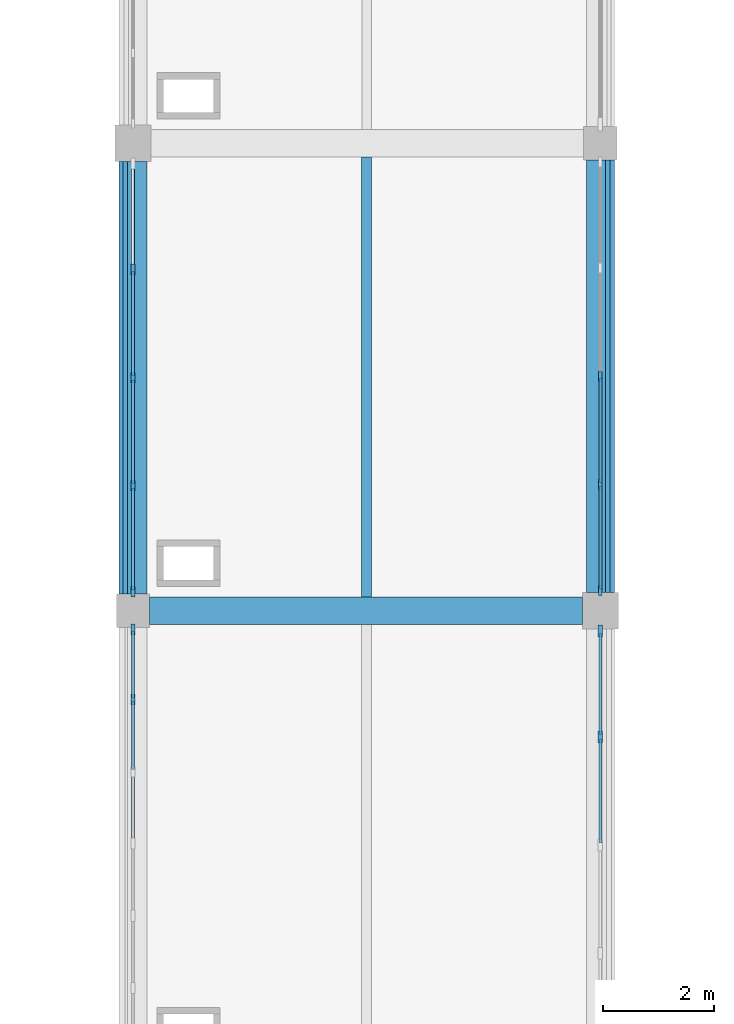
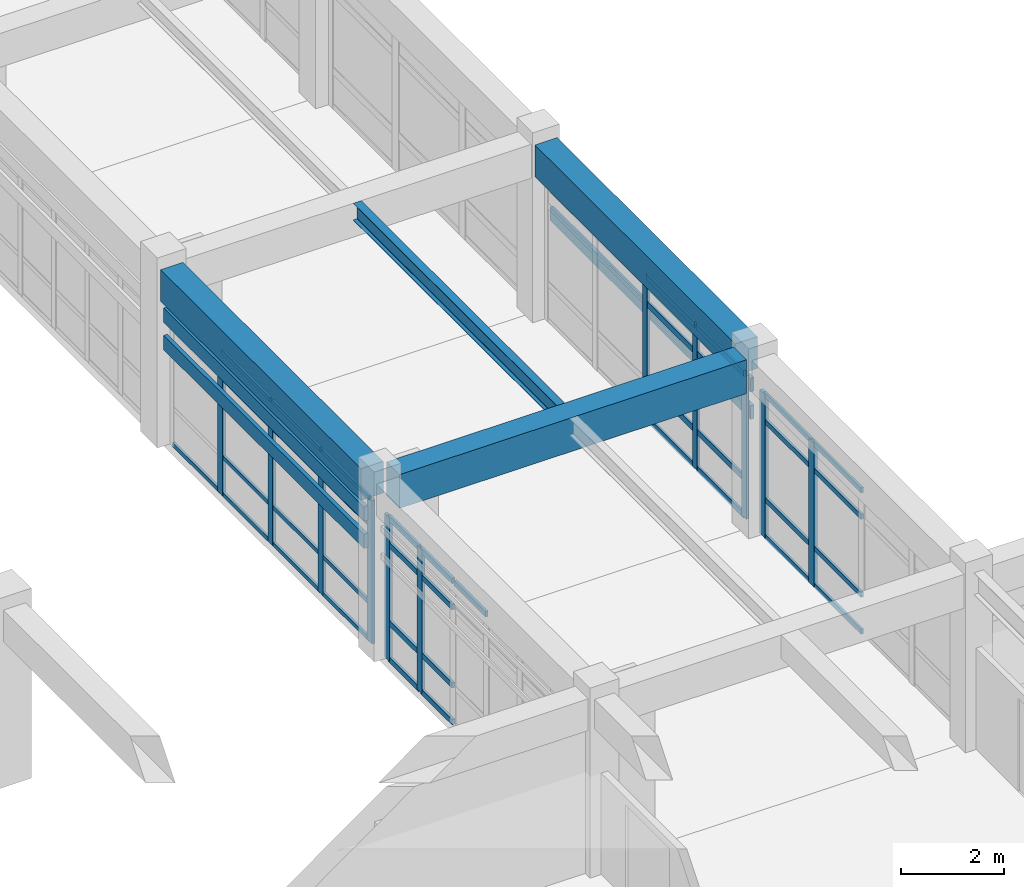
# One storey, part 35 of 99: 53 members, 4 beams, 4 elements without a shape of their own.
"""IFC4 building model written with IfcOpenShell, lengths in metres."""

from ifc_helpers import new_model, si_unit, direction, frame, origin, origin_2d, place, context, subcontext, project, spatial, rectangle, i_section, extrude, material, layer, layer_set, material_profile, profile_set, type_object, element, aggregate, save


model = new_model("IFC4")

# Units and contexts
model_context = context("Model", 3, precision=1e-05, world=origin(), true_north=direction((0.0, 1.0)))
body_context = subcontext(model_context, "Body", "Model", "MODEL_VIEW")
ifc_project = project(units=[si_unit("LENGTHUNIT", "METRE"), si_unit("AREAUNIT", "SQUARE_METRE"), si_unit("VOLUMEUNIT", "CUBIC_METRE"), si_unit("PLANEANGLEUNIT", "RADIAN"), si_unit("MASSUNIT", "GRAM", prefix="KILO")], contexts=[model_context])

# Site, building, storey
site_placement = place(None, origin())
site = spatial("IfcSite", under=ifc_project, at=site_placement, CompositionType="ELEMENT")
building_placement = place(site_placement, origin())
building = spatial("IfcBuilding", under=site, at=building_placement, Name="Porcellanite Civic Hall", CompositionType="ELEMENT")
storey_placement = place(building_placement, frame((0.0, 0.0, 5.760009765625)))
storey = spatial("IfcBuildingStorey", under=building, at=storey_placement, Name="L01", CompositionType="ELEMENT", Elevation=5.760009765625)

# Beams
ifc_material_1 = material(Name="Concrete N50 (50 MPa)", Category="concrete")
ifc_material_profile_1 = material_profile(ifc_material_1, rectangle(XDim=0.5, YDim=0.75, at=origin_2d()), Name="RC-500x750")
ifc_profile_set_1 = profile_set([ifc_material_profile_1], Name="Concrete N50 (50 MPa)")
beam_type_1 = type_object("IfcBeamType", Name="BM-RC750", PredefinedType="SPANDREL", material=ifc_profile_set_1)
beam_1_placement = place(storey_placement, frame((117.60009765625, 75.8994140625, 3.824951171875), z_axis=(0.0, 1.0, 0.0), x_axis=(-1.0, 0.0, 0.0)))
element("IfcBeam", 1, at=beam_1_placement, inside=storey, type_object=beam_type_1, Name="Beam Y L01 15-10", PredefinedType="SPANDREL", context=body_context, shape_type="SweptSolid", body=[
    extrude(rectangle(XDim=0.5, YDim=0.75, at=origin_2d()), origin(), (0.0, 0.0, 1.0), 7.776123046875),
])
beam_2_placement = place(storey_placement, frame((126.0, 75.924560546875, 3.824951171875), z_axis=(0.0, 1.0, 0.0), x_axis=(-1.0, 0.0, 0.0)))
element("IfcBeam", 2, at=beam_2_placement, inside=storey, type_object=beam_type_1, Name="Beam Y L01 16-10", PredefinedType="SPANDREL", context=body_context, shape_type="SweptSolid", body=[
    extrude(rectangle(XDim=0.5, YDim=0.75, at=origin_2d()), origin(), (0.0, 0.0, 1.0), 7.77587890625),
])
ifc_material_2 = material(Name="Concrete N50 (50 MPa)", Category="concrete")
ifc_material_profile_2 = material_profile(ifc_material_2, rectangle(XDim=0.5, YDim=0.800048828125, at=origin_2d()), Name="RC-500x800")
ifc_profile_set_2 = profile_set([ifc_material_profile_2], Name="Concrete N50 (50 MPa)")
beam_type_2 = type_object("IfcBeamType", Name="BM-RC800", PredefinedType="BEAM", material=ifc_profile_set_2)
beam_3_placement = place(storey_placement, frame((117.8994140625, 75.60009765625, 3.800048828125), z_axis=(1.0, 0.0, 0.0), x_axis=(0.0, 1.0, 0.0)))
element("IfcBeam", 3, at=beam_3_placement, inside=storey, type_object=beam_type_2, Name="Beam X L01 15-10", PredefinedType="BEAM", context=body_context, shape_type="SweptSolid", body=[
    extrude(rectangle(XDim=0.5, YDim=0.800048828125, at=origin_2d()), origin(), (0.0, 0.0, 1.0), 7.776123046875),
])

# Curtain wall, members
ifc_material_3 = material(Name="Anodised aluminium and solar laminated glass", Category="aluminium")
ifc_layer_1 = layer(ifc_material_3, 0.179931640625)
ifc_layer_set_1 = layer_set([ifc_layer_1], Name="Anodised aluminium and solar laminated glass")
curtain_wall_type_1 = type_object("IfcCurtainWallType", Name="CW-SYS03", PredefinedType="NOTDEFINED", material=ifc_layer_set_1)
curtain_wall_1_placement = place(storey_placement, origin())
curtain_wall_1 = element("IfcCurtainWall", 4, at=curtain_wall_1_placement, inside=storey, type_object=curtain_wall_type_1, Name="Curtain wall CW-108", PredefinedType="NOTDEFINED")
ifc_material_4 = material(Name="Anodised aluminium 6063-T6", Category="aluminium")
ifc_material_profile_3 = material_profile(ifc_material_4, rectangle(XDim=0.080078125, YDim=0.2099609375, at=origin_2d()), Name="AL-80x210")
ifc_profile_set_3 = profile_set([ifc_material_profile_3], Name="Anodised aluminium 6063-T6")
member_type_1 = type_object("IfcMemberType", Name="CWM-02", PredefinedType="MULLION", material=ifc_profile_set_3)
member_1_placement = place(storey_placement, frame((126.0, 75.23388671875, 0.0), z_axis=(0.0, 0.0, 1.0), x_axis=(1.0, 0.0, 0.0)))
member_1 = element("IfcMember", 5, at=member_1_placement, type_object=member_type_1, Name="CW-108 mullion 1", PredefinedType="MULLION", context=body_context, shape_type="SweptSolid", body=[
    extrude(rectangle(XDim=0.080078125, YDim=0.2099609375, at=origin_2d()), origin(), (0.0, 0.0, 1.0), 3.39990234375),
])
member_2_placement = place(storey_placement, frame((126.0, 73.330810546875, 0.0), z_axis=(0.0, 0.0, 1.0), x_axis=(1.0, 0.0, 0.0)))
member_2 = element("IfcMember", 6, at=member_2_placement, type_object=member_type_1, Name="CW-108 mullion 2", PredefinedType="MULLION", context=body_context, shape_type="SweptSolid", body=[
    extrude(rectangle(XDim=0.080078125, YDim=0.2099609375, at=origin_2d()), origin(), (0.0, 0.0, 1.0), 3.39990234375),
])

ifc_material_5 = material(Name="Anodised aluminium and solar laminated glass", Category="aluminium")
ifc_layer_2 = layer(ifc_material_5, 0.179931640625)
ifc_layer_set_2 = layer_set([ifc_layer_2], Name="Anodised aluminium and solar laminated glass")
curtain_wall_type_2 = type_object("IfcCurtainWallType", Name="CW-SYS04", PredefinedType="NOTDEFINED", material=ifc_layer_set_2)
curtain_wall_2_placement = place(storey_placement, origin())
curtain_wall_2 = element("IfcCurtainWall", 7, at=curtain_wall_2_placement, inside=storey, type_object=curtain_wall_type_2, Name="Curtain wall CW-109", PredefinedType="NOTDEFINED")
ifc_material_6 = material(Name="Anodised aluminium 6063-T6", Category="aluminium")
ifc_material_profile_4 = material_profile(ifc_material_6, rectangle(XDim=0.074951171875, YDim=0.18994140625, at=origin_2d()), Name="AL-75x190")
ifc_profile_set_4 = profile_set([ifc_material_profile_4], Name="Anodised aluminium 6063-T6")
member_type_2 = type_object("IfcMemberType", Name="CWM-04", PredefinedType="MULLION", material=ifc_profile_set_4)
member_3_placement = place(storey_placement, frame((117.60009765625, 75.9384765625, 0.0), z_axis=(0.0, 0.0, 1.0), x_axis=(-1.0, 0.0, 0.0)))
member_3 = element("IfcMember", 8, at=member_3_placement, type_object=member_type_2, Name="CW-109 mullion 1", PredefinedType="MULLION", context=body_context, shape_type="SweptSolid", body=[
    extrude(rectangle(XDim=0.074951171875, YDim=0.18994140625, at=origin_2d()), origin(), (0.0, 0.0, 1.0), 3.39990234375),
])
member_4_placement = place(storey_placement, frame((117.60009765625, 77.84423828125, 0.0), z_axis=(0.0, 0.0, 1.0), x_axis=(-1.0, 0.0, 0.0)))
member_4 = element("IfcMember", 9, at=member_4_placement, type_object=member_type_2, Name="CW-109 mullion 2", PredefinedType="MULLION", context=body_context, shape_type="SweptSolid", body=[
    extrude(rectangle(XDim=0.074951171875, YDim=0.18994140625, at=origin_2d()), origin(), (0.0, 0.0, 1.0), 3.39990234375),
])
member_5_placement = place(storey_placement, frame((117.60009765625, 79.78759765625, 0.0), z_axis=(0.0, 0.0, 1.0), x_axis=(-1.0, 0.0, 0.0)))
member_5 = element("IfcMember", 10, at=member_5_placement, type_object=member_type_2, Name="CW-109 mullion 3", PredefinedType="MULLION", context=body_context, shape_type="SweptSolid", body=[
    extrude(rectangle(XDim=0.074951171875, YDim=0.18994140625, at=origin_2d()), origin(), (0.0, 0.0, 1.0), 3.39990234375),
])
member_6_placement = place(storey_placement, frame((117.60009765625, 81.730712890625, 0.0), z_axis=(0.0, 0.0, 1.0), x_axis=(-1.0, 0.0, 0.0)))
member_6 = element("IfcMember", 11, at=member_6_placement, type_object=member_type_2, Name="CW-109 mullion 4", PredefinedType="MULLION", context=body_context, shape_type="SweptSolid", body=[
    extrude(rectangle(XDim=0.074951171875, YDim=0.18994140625, at=origin_2d()), origin(), (0.0, 0.0, 1.0), 3.39990234375),
])

ifc_material_7 = material(Name="Anodised aluminium and solar laminated glass", Category="aluminium")
ifc_layer_3 = layer(ifc_material_7, 0.179931640625)
ifc_layer_set_3 = layer_set([ifc_layer_3], Name="Anodised aluminium and solar laminated glass")
curtain_wall_type_3 = type_object("IfcCurtainWallType", Name="CW-SYS01", PredefinedType="NOTDEFINED", material=ifc_layer_set_3)
curtain_wall_3_placement = place(storey_placement, origin())
curtain_wall_3 = element("IfcCurtainWall", 12, at=curtain_wall_3_placement, inside=storey, type_object=curtain_wall_type_3, Name="Curtain wall CW-107", PredefinedType="NOTDEFINED")
ifc_material_8 = material(Name="Anodised aluminium 6063-T6", Category="aluminium")
ifc_material_profile_5 = material_profile(ifc_material_8, rectangle(XDim=0.070068359375, YDim=0.199951171875, at=origin_2d()), Name="AL-70x200")
ifc_profile_set_5 = profile_set([ifc_material_profile_5], Name="Anodised aluminium 6063-T6")
member_type_3 = type_object("IfcMemberType", Name="CWM-05", PredefinedType="MULLION", material=ifc_profile_set_5)
member_7_placement = place(storey_placement, frame((117.60009765625, 74.00341796875, 0.0), z_axis=(0.0, 0.0, 1.0), x_axis=(-1.0, 0.0, 0.0)))
member_7 = element("IfcMember", 13, at=member_7_placement, type_object=member_type_3, Name="CW-107 mullion 6", PredefinedType="MULLION", context=body_context, shape_type="SweptSolid", body=[
    extrude(rectangle(XDim=0.070068359375, YDim=0.199951171875, at=origin_2d()), origin(), (0.0, 0.0, 1.0), 3.39990234375),
])
member_8_placement = place(storey_placement, frame((117.60009765625, 75.263916015625, 0.0), z_axis=(0.0, 0.0, 1.0), x_axis=(-1.0, 0.0, 0.0)))
member_8 = element("IfcMember", 14, at=member_8_placement, type_object=member_type_3, Name="CW-107 mullion 7", PredefinedType="MULLION", context=body_context, shape_type="SweptSolid", body=[
    extrude(rectangle(XDim=0.070068359375, YDim=0.199951171875, at=origin_2d()), origin(), (0.0, 0.0, 1.0), 3.39990234375),
])

ifc_material_9 = material(Name="Anodised aluminium and solar laminated glass", Category="aluminium")
ifc_layer_4 = layer(ifc_material_9, 0.179931640625)
ifc_layer_set_4 = layer_set([ifc_layer_4], Name="Anodised aluminium and solar laminated glass")
curtain_wall_type_4 = type_object("IfcCurtainWallType", Name="CW-SYS06", PredefinedType="NOTDEFINED", material=ifc_layer_set_4)
curtain_wall_4_placement = place(storey_placement, origin())
curtain_wall_4 = element("IfcCurtainWall", 15, at=curtain_wall_4_placement, inside=storey, type_object=curtain_wall_type_4, Name="Curtain wall CW-110", PredefinedType="NOTDEFINED")
ifc_material_10 = material(Name="Anodised aluminium 6063-T6", Category="aluminium")
ifc_material_profile_6 = material_profile(ifc_material_10, rectangle(XDim=0.06494140625, YDim=0.179931640625, at=origin_2d()), Name="AL-65x180")
ifc_profile_set_6 = profile_set([ifc_material_profile_6], Name="Anodised aluminium 6063-T6")
member_type_4 = type_object("IfcMemberType", Name="CWM-06", PredefinedType="MULLION", material=ifc_profile_set_6)
member_9_placement = place(storey_placement, frame((126.0, 79.8125, 0.0), z_axis=(0.0, 0.0, 1.0), x_axis=(1.0, 0.0, 0.0)))
member_9 = element("IfcMember", 16, at=member_9_placement, type_object=member_type_4, Name="CW-110 mullion 3", PredefinedType="MULLION", context=body_context, shape_type="SweptSolid", body=[
    extrude(rectangle(XDim=0.06494140625, YDim=0.179931640625, at=origin_2d()), origin(), (0.0, 0.0, 1.0), 3.39990234375),
])
member_10_placement = place(storey_placement, frame((126.0, 77.869140625, 0.0), z_axis=(0.0, 0.0, 1.0), x_axis=(1.0, 0.0, 0.0)))
member_10 = element("IfcMember", 17, at=member_10_placement, type_object=member_type_4, Name="CW-110 mullion 4", PredefinedType="MULLION", context=body_context, shape_type="SweptSolid", body=[
    extrude(rectangle(XDim=0.06494140625, YDim=0.179931640625, at=origin_2d()), origin(), (0.0, 0.0, 1.0), 3.39990234375),
])
member_11_placement = place(storey_placement, frame((126.0, 75.95849609375, 0.0), z_axis=(0.0, 0.0, 1.0), x_axis=(1.0, 0.0, 0.0)))
member_11 = element("IfcMember", 18, at=member_11_placement, type_object=member_type_4, Name="CW-110 mullion 5", PredefinedType="MULLION", context=body_context, shape_type="SweptSolid", body=[
    extrude(rectangle(XDim=0.06494140625, YDim=0.179931640625, at=origin_2d()), origin(), (0.0, 0.0, 1.0), 3.39990234375),
])

# Member
ifc_material_11 = material(Name="Anodised aluminium 6063-T6", Category="aluminium")
ifc_material_profile_7 = material_profile(ifc_material_11, rectangle(XDim=0.06005859375, YDim=0.1298828125, at=origin_2d()), Name="AL-60x130")
ifc_profile_set_7 = profile_set([ifc_material_profile_7], Name="Anodised aluminium 6063-T6")
member_type_5 = type_object("IfcMemberType", Name="CWT-03", PredefinedType="USERDEFINED", material=ifc_profile_set_7)
member_12_placement = place(storey_placement, frame((117.60009765625, 71.447509765625, 3.369873046875), z_axis=(0.0, 1.0, 0.0), x_axis=(-1.0, 0.0, 0.0)))
member_12 = element("IfcMember", 19, at=member_12_placement, type_object=member_type_5, Name="CW-107 transom 4.4", ObjectType="TRANSOM", PredefinedType="USERDEFINED", context=body_context, shape_type="SweptSolid", body=[
    extrude(rectangle(XDim=0.06005859375, YDim=0.1298828125, at=origin_2d()), origin(), (0.0, 0.0, 1.0), 1.2255859375),
])

member_13_placement = place(storey_placement, frame((117.60009765625, 72.742919921875, 0.030029296875), z_axis=(0.0, 1.0, 0.0), x_axis=(-1.0, 0.0, 0.0)))
member_13 = element("IfcMember", 20, at=member_13_placement, type_object=member_type_5, Name="CW-107 transom 5.1", ObjectType="TRANSOM", PredefinedType="USERDEFINED", context=body_context, shape_type="SweptSolid", body=[
    extrude(rectangle(XDim=0.06005859375, YDim=0.1298828125, at=origin_2d()), origin(), (0.0, 0.0, 1.0), 1.2255859375),
])

member_14_placement = place(storey_placement, frame((117.60009765625, 72.742919921875, 0.89990234375), z_axis=(0.0, 1.0, 0.0), x_axis=(-1.0, 0.0, 0.0)))
member_14 = element("IfcMember", 21, at=member_14_placement, type_object=member_type_5, Name="CW-107 transom 5.2", ObjectType="TRANSOM", PredefinedType="USERDEFINED", context=body_context, shape_type="SweptSolid", body=[
    extrude(rectangle(XDim=0.06005859375, YDim=0.1298828125, at=origin_2d()), origin(), (0.0, 0.0, 1.0), 1.2255859375),
])

member_15_placement = place(storey_placement, frame((117.60009765625, 72.742919921875, 2.75), z_axis=(0.0, 1.0, 0.0), x_axis=(-1.0, 0.0, 0.0)))
member_15 = element("IfcMember", 22, at=member_15_placement, type_object=member_type_5, Name="CW-107 transom 5.3", ObjectType="TRANSOM", PredefinedType="USERDEFINED", context=body_context, shape_type="SweptSolid", body=[
    extrude(rectangle(XDim=0.06005859375, YDim=0.1298828125, at=origin_2d()), origin(), (0.0, 0.0, 1.0), 1.2255859375),
])

member_16_placement = place(storey_placement, frame((117.60009765625, 72.742919921875, 3.369873046875), z_axis=(0.0, 1.0, 0.0), x_axis=(-1.0, 0.0, 0.0)))
member_16 = element("IfcMember", 23, at=member_16_placement, type_object=member_type_5, Name="CW-107 transom 5.4", ObjectType="TRANSOM", PredefinedType="USERDEFINED", context=body_context, shape_type="SweptSolid", body=[
    extrude(rectangle(XDim=0.06005859375, YDim=0.1298828125, at=origin_2d()), origin(), (0.0, 0.0, 1.0), 1.2255859375),
])

member_17_placement = place(storey_placement, frame((117.60009765625, 74.03857421875, 0.030029296875), z_axis=(0.0, 1.0, 0.0), x_axis=(-1.0, 0.0, 0.0)))
member_17 = element("IfcMember", 24, at=member_17_placement, type_object=member_type_5, Name="CW-107 transom 6.1", ObjectType="TRANSOM", PredefinedType="USERDEFINED", context=body_context, shape_type="SweptSolid", body=[
    extrude(rectangle(XDim=0.06005859375, YDim=0.1298828125, at=origin_2d()), origin(), (0.0, 0.0, 1.0), 1.1904296875),
])

member_18_placement = place(storey_placement, frame((117.60009765625, 74.03857421875, 0.89990234375), z_axis=(0.0, 1.0, 0.0), x_axis=(-1.0, 0.0, 0.0)))
member_18 = element("IfcMember", 25, at=member_18_placement, type_object=member_type_5, Name="CW-107 transom 6.2", ObjectType="TRANSOM", PredefinedType="USERDEFINED", context=body_context, shape_type="SweptSolid", body=[
    extrude(rectangle(XDim=0.06005859375, YDim=0.1298828125, at=origin_2d()), origin(), (0.0, 0.0, 1.0), 1.1904296875),
])

member_19_placement = place(storey_placement, frame((117.60009765625, 74.03857421875, 2.75), z_axis=(0.0, 1.0, 0.0), x_axis=(-1.0, 0.0, 0.0)))
member_19 = element("IfcMember", 26, at=member_19_placement, type_object=member_type_5, Name="CW-107 transom 6.3", ObjectType="TRANSOM", PredefinedType="USERDEFINED", context=body_context, shape_type="SweptSolid", body=[
    extrude(rectangle(XDim=0.06005859375, YDim=0.1298828125, at=origin_2d()), origin(), (0.0, 0.0, 1.0), 1.1904296875),
])

member_20_placement = place(storey_placement, frame((117.60009765625, 74.03857421875, 3.369873046875), z_axis=(0.0, 1.0, 0.0), x_axis=(-1.0, 0.0, 0.0)))
member_20 = element("IfcMember", 27, at=member_20_placement, type_object=member_type_5, Name="CW-107 transom 6.4", ObjectType="TRANSOM", PredefinedType="USERDEFINED", context=body_context, shape_type="SweptSolid", body=[
    extrude(rectangle(XDim=0.06005859375, YDim=0.1298828125, at=origin_2d()), origin(), (0.0, 0.0, 1.0), 1.1904296875),
])

aggregate(curtain_wall_3, [member_7, member_8, member_12, member_13, member_14, member_15, member_16, member_17, member_18, member_19, member_20])

ifc_material_12 = material(Name="Anodised aluminium 6063-T6", Category="aluminium")
ifc_material_profile_8 = material_profile(ifc_material_12, rectangle(XDim=0.054931640625, YDim=0.1201171875, at=origin_2d()), Name="AL-55x120")
ifc_profile_set_8 = profile_set([ifc_material_profile_8], Name="Anodised aluminium 6063-T6")
member_type_6 = type_object("IfcMemberType", Name="CWT-04", PredefinedType="USERDEFINED", material=ifc_profile_set_8)
member_21_placement = place(storey_placement, frame((126.0, 75.194091796875, 0.027587890625), z_axis=(0.0, -1.0, 0.0), x_axis=(1.0, 0.0, 0.0)))
member_21 = element("IfcMember", 28, at=member_21_placement, type_object=member_type_6, Name="CW-108 transom 1.1", ObjectType="TRANSOM", PredefinedType="USERDEFINED", context=body_context, shape_type="SweptSolid", body=[
    extrude(rectangle(XDim=0.054931640625, YDim=0.1201171875, at=origin_2d()), origin(), (0.0, 0.0, 1.0), 1.8232421875),
])

member_22_placement = place(storey_placement, frame((126.0, 75.194091796875, 0.89990234375), z_axis=(0.0, -1.0, 0.0), x_axis=(1.0, 0.0, 0.0)))
member_22 = element("IfcMember", 29, at=member_22_placement, type_object=member_type_6, Name="CW-108 transom 1.2", ObjectType="TRANSOM", PredefinedType="USERDEFINED", context=body_context, shape_type="SweptSolid", body=[
    extrude(rectangle(XDim=0.054931640625, YDim=0.1201171875, at=origin_2d()), origin(), (0.0, 0.0, 1.0), 1.8232421875),
])

member_23_placement = place(storey_placement, frame((126.0, 75.194091796875, 2.75), z_axis=(0.0, -1.0, 0.0), x_axis=(1.0, 0.0, 0.0)))
member_23 = element("IfcMember", 30, at=member_23_placement, type_object=member_type_6, Name="CW-108 transom 1.3", ObjectType="TRANSOM", PredefinedType="USERDEFINED", context=body_context, shape_type="SweptSolid", body=[
    extrude(rectangle(XDim=0.054931640625, YDim=0.1201171875, at=origin_2d()), origin(), (0.0, 0.0, 1.0), 1.8232421875),
])

member_24_placement = place(storey_placement, frame((126.0, 75.194091796875, 3.37255859375), z_axis=(0.0, -1.0, 0.0), x_axis=(1.0, 0.0, 0.0)))
member_24 = element("IfcMember", 31, at=member_24_placement, type_object=member_type_6, Name="CW-108 transom 1.4", ObjectType="TRANSOM", PredefinedType="USERDEFINED", context=body_context, shape_type="SweptSolid", body=[
    extrude(rectangle(XDim=0.054931640625, YDim=0.1201171875, at=origin_2d()), origin(), (0.0, 0.0, 1.0), 1.8232421875),
])

member_25_placement = place(storey_placement, frame((126.0, 73.290771484375, 0.027587890625), z_axis=(0.0, -1.0, 0.0), x_axis=(1.0, 0.0, 0.0)))
member_25 = element("IfcMember", 32, at=member_25_placement, type_object=member_type_6, Name="CW-108 transom 2.1", ObjectType="TRANSOM", PredefinedType="USERDEFINED", context=body_context, shape_type="SweptSolid", body=[
    extrude(rectangle(XDim=0.054931640625, YDim=0.1201171875, at=origin_2d()), origin(), (0.0, 0.0, 1.0), 1.86328125),
])

member_26_placement = place(storey_placement, frame((126.0, 73.290771484375, 0.89990234375), z_axis=(0.0, -1.0, 0.0), x_axis=(1.0, 0.0, 0.0)))
member_26 = element("IfcMember", 33, at=member_26_placement, type_object=member_type_6, Name="CW-108 transom 2.2", ObjectType="TRANSOM", PredefinedType="USERDEFINED", context=body_context, shape_type="SweptSolid", body=[
    extrude(rectangle(XDim=0.054931640625, YDim=0.1201171875, at=origin_2d()), origin(), (0.0, 0.0, 1.0), 1.86328125),
])

member_27_placement = place(storey_placement, frame((126.0, 73.290771484375, 2.75), z_axis=(0.0, -1.0, 0.0), x_axis=(1.0, 0.0, 0.0)))
member_27 = element("IfcMember", 34, at=member_27_placement, type_object=member_type_6, Name="CW-108 transom 2.3", ObjectType="TRANSOM", PredefinedType="USERDEFINED", context=body_context, shape_type="SweptSolid", body=[
    extrude(rectangle(XDim=0.054931640625, YDim=0.1201171875, at=origin_2d()), origin(), (0.0, 0.0, 1.0), 1.86328125),
])

member_28_placement = place(storey_placement, frame((126.0, 73.290771484375, 3.37255859375), z_axis=(0.0, -1.0, 0.0), x_axis=(1.0, 0.0, 0.0)))
member_28 = element("IfcMember", 35, at=member_28_placement, type_object=member_type_6, Name="CW-108 transom 2.4", ObjectType="TRANSOM", PredefinedType="USERDEFINED", context=body_context, shape_type="SweptSolid", body=[
    extrude(rectangle(XDim=0.054931640625, YDim=0.1201171875, at=origin_2d()), origin(), (0.0, 0.0, 1.0), 1.86328125),
])

aggregate(curtain_wall_1, [member_1, member_2, member_21, member_22, member_23, member_24, member_25, member_26, member_27, member_28])

ifc_material_13 = material(Name="Anodised aluminium 6063-T6", Category="aluminium")
ifc_material_profile_9 = material_profile(ifc_material_13, rectangle(XDim=0.054931640625, YDim=0.10009765625, at=origin_2d()), Name="AL-55x100")
ifc_profile_set_9 = profile_set([ifc_material_profile_9], Name="Anodised aluminium 6063-T6")
member_type_7 = type_object("IfcMemberType", Name="CWT-05", PredefinedType="USERDEFINED", material=ifc_profile_set_9)
member_29_placement = place(storey_placement, frame((117.60009765625, 75.97607421875, 0.027587890625), z_axis=(0.0, 1.0, 0.0), x_axis=(-1.0, 0.0, 0.0)))
member_29 = element("IfcMember", 36, at=member_29_placement, type_object=member_type_7, Name="CW-109 transom 1.1", ObjectType="TRANSOM", PredefinedType="USERDEFINED", context=body_context, shape_type="SweptSolid", body=[
    extrude(rectangle(XDim=0.054931640625, YDim=0.10009765625, at=origin_2d()), origin(), (0.0, 0.0, 1.0), 1.83056640625),
])

member_30_placement = place(storey_placement, frame((117.60009765625, 75.97607421875, 0.89990234375), z_axis=(0.0, 1.0, 0.0), x_axis=(-1.0, 0.0, 0.0)))
member_30 = element("IfcMember", 37, at=member_30_placement, type_object=member_type_7, Name="CW-109 transom 1.2", ObjectType="TRANSOM", PredefinedType="USERDEFINED", context=body_context, shape_type="SweptSolid", body=[
    extrude(rectangle(XDim=0.054931640625, YDim=0.10009765625, at=origin_2d()), origin(), (0.0, 0.0, 1.0), 1.83056640625),
])

member_31_placement = place(storey_placement, frame((117.60009765625, 75.97607421875, 2.75), z_axis=(0.0, 1.0, 0.0), x_axis=(-1.0, 0.0, 0.0)))
member_31 = element("IfcMember", 38, at=member_31_placement, type_object=member_type_7, Name="CW-109 transom 1.3", ObjectType="TRANSOM", PredefinedType="USERDEFINED", context=body_context, shape_type="SweptSolid", body=[
    extrude(rectangle(XDim=0.054931640625, YDim=0.10009765625, at=origin_2d()), origin(), (0.0, 0.0, 1.0), 1.83056640625),
])

member_32_placement = place(storey_placement, frame((117.60009765625, 75.97607421875, 3.37255859375), z_axis=(0.0, 1.0, 0.0), x_axis=(-1.0, 0.0, 0.0)))
member_32 = element("IfcMember", 39, at=member_32_placement, type_object=member_type_7, Name="CW-109 transom 1.4", ObjectType="TRANSOM", PredefinedType="USERDEFINED", context=body_context, shape_type="SweptSolid", body=[
    extrude(rectangle(XDim=0.054931640625, YDim=0.10009765625, at=origin_2d()), origin(), (0.0, 0.0, 1.0), 1.83056640625),
])

member_33_placement = place(storey_placement, frame((117.60009765625, 77.8818359375, 0.027587890625), z_axis=(0.0, 1.0, 0.0), x_axis=(-1.0, 0.0, 0.0)))
member_33 = element("IfcMember", 40, at=member_33_placement, type_object=member_type_7, Name="CW-109 transom 2.1", ObjectType="TRANSOM", PredefinedType="USERDEFINED", context=body_context, shape_type="SweptSolid", body=[
    extrude(rectangle(XDim=0.054931640625, YDim=0.10009765625, at=origin_2d()), origin(), (0.0, 0.0, 1.0), 1.8681640625),
])

member_34_placement = place(storey_placement, frame((117.60009765625, 77.8818359375, 0.89990234375), z_axis=(0.0, 1.0, 0.0), x_axis=(-1.0, 0.0, 0.0)))
member_34 = element("IfcMember", 41, at=member_34_placement, type_object=member_type_7, Name="CW-109 transom 2.2", ObjectType="TRANSOM", PredefinedType="USERDEFINED", context=body_context, shape_type="SweptSolid", body=[
    extrude(rectangle(XDim=0.054931640625, YDim=0.10009765625, at=origin_2d()), origin(), (0.0, 0.0, 1.0), 1.8681640625),
])

member_35_placement = place(storey_placement, frame((117.60009765625, 77.8818359375, 2.75), z_axis=(0.0, 1.0, 0.0), x_axis=(-1.0, 0.0, 0.0)))
member_35 = element("IfcMember", 42, at=member_35_placement, type_object=member_type_7, Name="CW-109 transom 2.3", ObjectType="TRANSOM", PredefinedType="USERDEFINED", context=body_context, shape_type="SweptSolid", body=[
    extrude(rectangle(XDim=0.054931640625, YDim=0.10009765625, at=origin_2d()), origin(), (0.0, 0.0, 1.0), 1.8681640625),
])

member_36_placement = place(storey_placement, frame((117.60009765625, 77.8818359375, 3.37255859375), z_axis=(0.0, 1.0, 0.0), x_axis=(-1.0, 0.0, 0.0)))
member_36 = element("IfcMember", 43, at=member_36_placement, type_object=member_type_7, Name="CW-109 transom 2.4", ObjectType="TRANSOM", PredefinedType="USERDEFINED", context=body_context, shape_type="SweptSolid", body=[
    extrude(rectangle(XDim=0.054931640625, YDim=0.10009765625, at=origin_2d()), origin(), (0.0, 0.0, 1.0), 1.8681640625),
])

member_37_placement = place(storey_placement, frame((117.60009765625, 79.824951171875, 0.027587890625), z_axis=(0.0, 1.0, 0.0), x_axis=(-1.0, 0.0, 0.0)))
member_37 = element("IfcMember", 44, at=member_37_placement, type_object=member_type_7, Name="CW-109 transom 3.1", ObjectType="TRANSOM", PredefinedType="USERDEFINED", context=body_context, shape_type="SweptSolid", body=[
    extrude(rectangle(XDim=0.054931640625, YDim=0.10009765625, at=origin_2d()), origin(), (0.0, 0.0, 1.0), 1.868408203125),
])

member_38_placement = place(storey_placement, frame((117.60009765625, 79.824951171875, 0.89990234375), z_axis=(0.0, 1.0, 0.0), x_axis=(-1.0, 0.0, 0.0)))
member_38 = element("IfcMember", 45, at=member_38_placement, type_object=member_type_7, Name="CW-109 transom 3.2", ObjectType="TRANSOM", PredefinedType="USERDEFINED", context=body_context, shape_type="SweptSolid", body=[
    extrude(rectangle(XDim=0.054931640625, YDim=0.10009765625, at=origin_2d()), origin(), (0.0, 0.0, 1.0), 1.868408203125),
])

member_39_placement = place(storey_placement, frame((117.60009765625, 79.824951171875, 2.75), z_axis=(0.0, 1.0, 0.0), x_axis=(-1.0, 0.0, 0.0)))
member_39 = element("IfcMember", 46, at=member_39_placement, type_object=member_type_7, Name="CW-109 transom 3.3", ObjectType="TRANSOM", PredefinedType="USERDEFINED", context=body_context, shape_type="SweptSolid", body=[
    extrude(rectangle(XDim=0.054931640625, YDim=0.10009765625, at=origin_2d()), origin(), (0.0, 0.0, 1.0), 1.868408203125),
])

member_40_placement = place(storey_placement, frame((117.60009765625, 79.824951171875, 3.37255859375), z_axis=(0.0, 1.0, 0.0), x_axis=(-1.0, 0.0, 0.0)))
member_40 = element("IfcMember", 47, at=member_40_placement, type_object=member_type_7, Name="CW-109 transom 3.4", ObjectType="TRANSOM", PredefinedType="USERDEFINED", context=body_context, shape_type="SweptSolid", body=[
    extrude(rectangle(XDim=0.054931640625, YDim=0.10009765625, at=origin_2d()), origin(), (0.0, 0.0, 1.0), 1.868408203125),
])

member_41_placement = place(storey_placement, frame((117.60009765625, 81.768310546875, 0.027587890625), z_axis=(0.0, 1.0, 0.0), x_axis=(-1.0, 0.0, 0.0)))
member_41 = element("IfcMember", 48, at=member_41_placement, type_object=member_type_7, Name="CW-109 transom 4.1", ObjectType="TRANSOM", PredefinedType="USERDEFINED", context=body_context, shape_type="SweptSolid", body=[
    extrude(rectangle(XDim=0.054931640625, YDim=0.10009765625, at=origin_2d()), origin(), (0.0, 0.0, 1.0), 1.830810546875),
])

aggregate(curtain_wall_2, [member_3, member_4, member_5, member_6, member_29, member_30, member_31, member_32, member_33, member_34, member_35, member_36, member_37, member_38, member_39, member_40, member_41])

ifc_material_14 = material(Name="Anodised aluminium 6063-T6", Category="aluminium")
ifc_material_profile_10 = material_profile(ifc_material_14, rectangle(XDim=0.050048828125, YDim=0.139892578125, at=origin_2d()), Name="AL-50x140")
ifc_profile_set_10 = profile_set([ifc_material_profile_10], Name="Anodised aluminium 6063-T6")
member_type_8 = type_object("IfcMemberType", Name="CWT-06", PredefinedType="USERDEFINED", material=ifc_profile_set_10)
member_42_placement = place(storey_placement, frame((126.0, 79.780029296875, 0.02490234375), z_axis=(0.0, -1.0, 0.0), x_axis=(1.0, 0.0, 0.0)))
member_42 = element("IfcMember", 49, at=member_42_placement, type_object=member_type_8, Name="CW-110 transom 3.1", ObjectType="TRANSOM", PredefinedType="USERDEFINED", context=body_context, shape_type="SweptSolid", body=[
    extrude(rectangle(XDim=0.050048828125, YDim=0.139892578125, at=origin_2d()), origin(), (0.0, 0.0, 1.0), 1.878173828125),
])

member_43_placement = place(storey_placement, frame((126.0, 79.780029296875, 0.89990234375), z_axis=(0.0, -1.0, 0.0), x_axis=(1.0, 0.0, 0.0)))
member_43 = element("IfcMember", 50, at=member_43_placement, type_object=member_type_8, Name="CW-110 transom 3.2", ObjectType="TRANSOM", PredefinedType="USERDEFINED", context=body_context, shape_type="SweptSolid", body=[
    extrude(rectangle(XDim=0.050048828125, YDim=0.139892578125, at=origin_2d()), origin(), (0.0, 0.0, 1.0), 1.878173828125),
])

member_44_placement = place(storey_placement, frame((126.0, 79.780029296875, 2.75), z_axis=(0.0, -1.0, 0.0), x_axis=(1.0, 0.0, 0.0)))
member_44 = element("IfcMember", 51, at=member_44_placement, type_object=member_type_8, Name="CW-110 transom 3.3", ObjectType="TRANSOM", PredefinedType="USERDEFINED", context=body_context, shape_type="SweptSolid", body=[
    extrude(rectangle(XDim=0.050048828125, YDim=0.139892578125, at=origin_2d()), origin(), (0.0, 0.0, 1.0), 1.878173828125),
])

member_45_placement = place(storey_placement, frame((126.0, 79.780029296875, 3.375), z_axis=(0.0, -1.0, 0.0), x_axis=(1.0, 0.0, 0.0)))
member_45 = element("IfcMember", 52, at=member_45_placement, type_object=member_type_8, Name="CW-110 transom 3.4", ObjectType="TRANSOM", PredefinedType="USERDEFINED", context=body_context, shape_type="SweptSolid", body=[
    extrude(rectangle(XDim=0.050048828125, YDim=0.139892578125, at=origin_2d()), origin(), (0.0, 0.0, 1.0), 1.878173828125),
])

member_46_placement = place(storey_placement, frame((126.0, 77.836669921875, 0.02490234375), z_axis=(0.0, -1.0, 0.0), x_axis=(1.0, 0.0, 0.0)))
member_46 = element("IfcMember", 53, at=member_46_placement, type_object=member_type_8, Name="CW-110 transom 4.1", ObjectType="TRANSOM", PredefinedType="USERDEFINED", context=body_context, shape_type="SweptSolid", body=[
    extrude(rectangle(XDim=0.050048828125, YDim=0.139892578125, at=origin_2d()), origin(), (0.0, 0.0, 1.0), 1.845703125),
])

member_47_placement = place(storey_placement, frame((126.0, 77.836669921875, 0.89990234375), z_axis=(0.0, -1.0, 0.0), x_axis=(1.0, 0.0, 0.0)))
member_47 = element("IfcMember", 54, at=member_47_placement, type_object=member_type_8, Name="CW-110 transom 4.2", ObjectType="TRANSOM", PredefinedType="USERDEFINED", context=body_context, shape_type="SweptSolid", body=[
    extrude(rectangle(XDim=0.050048828125, YDim=0.139892578125, at=origin_2d()), origin(), (0.0, 0.0, 1.0), 1.845703125),
])

member_48_placement = place(storey_placement, frame((126.0, 77.836669921875, 2.75), z_axis=(0.0, -1.0, 0.0), x_axis=(1.0, 0.0, 0.0)))
member_48 = element("IfcMember", 55, at=member_48_placement, type_object=member_type_8, Name="CW-110 transom 4.3", ObjectType="TRANSOM", PredefinedType="USERDEFINED", context=body_context, shape_type="SweptSolid", body=[
    extrude(rectangle(XDim=0.050048828125, YDim=0.139892578125, at=origin_2d()), origin(), (0.0, 0.0, 1.0), 1.845703125),
])

member_49_placement = place(storey_placement, frame((126.0, 77.836669921875, 3.375), z_axis=(0.0, -1.0, 0.0), x_axis=(1.0, 0.0, 0.0)))
member_49 = element("IfcMember", 56, at=member_49_placement, type_object=member_type_8, Name="CW-110 transom 4.4", ObjectType="TRANSOM", PredefinedType="USERDEFINED", context=body_context, shape_type="SweptSolid", body=[
    extrude(rectangle(XDim=0.050048828125, YDim=0.139892578125, at=origin_2d()), origin(), (0.0, 0.0, 1.0), 1.845703125),
])

aggregate(curtain_wall_4, [member_9, member_10, member_11, member_42, member_43, member_44, member_45, member_46, member_47, member_48, member_49])

# Beam
ifc_material_15 = material(Name="Steel Grade 350", Category="steel")
ifc_material_profile_11 = material_profile(ifc_material_15, i_section(OverallWidth=0.177978515625, OverallDepth=0.403076171875, WebThickness=0.007568359375, FlangeThickness=0.010986328125, FilletRadius=0.011474609375, at=origin_2d()), Name="410UB53.7")
ifc_profile_set_11 = profile_set([ifc_material_profile_11], Name="Steel Grade 350")
beam_type_3 = type_object("IfcBeamType", Name="JST-410UB54", PredefinedType="JOIST", material=ifc_profile_set_11)
beam_4_placement = place(storey_placement, frame((121.800048828125, 75.849609375, 3.99853515625), z_axis=(0.0, 1.0, 0.0), x_axis=(-1.0, 0.0, 0.0)))
element("IfcBeam", 57, at=beam_4_placement, inside=storey, type_object=beam_type_3, Name="Secondary joist L01 15-10", PredefinedType="JOIST", context=body_context, shape_type="SweptSolid", body=[
    extrude(i_section(OverallWidth=0.177978515625, OverallDepth=0.403076171875, WebThickness=0.007568359375, FlangeThickness=0.010986328125, FilletRadius=0.011474609375, at=origin_2d()), origin(), (0.0, 0.0, 1.0), 7.90087890625),
])

# Members
ifc_material_16 = material(Name="Fluoropolymer bauxite-red aluminium 6063-T6", Category="aluminium")
ifc_material_profile_12 = material_profile(ifc_material_16, rectangle(XDim=0.0849609375, YDim=0.340087890625, at=origin_2d()), Name="AL-85x340")
ifc_profile_set_12 = profile_set([ifc_material_profile_12], Name="Fluoropolymer bauxite-red aluminium 6063-T6")
member_type_9 = type_object("IfcMemberType", Name="LV-BLD02", PredefinedType="USERDEFINED", material=ifc_profile_set_12)
for number, where, z_axis, x_axis, name in (
    (58, (117.46044921875, 75.8994140625, 3.10009765625), (0.0, 1.0, 0.0), (-1.0, 0.0, 0.0), "Cyclone sunshade louvre L01 W 14-9 1"),
    (59, (117.46044921875, 75.8994140625, 2.449951171875), (0.0, 1.0, 0.0), (-1.0, 0.0, 0.0), "Cyclone sunshade louvre L01 W 14-9 2"),
):
    element("IfcMember", number, at=place(storey_placement, frame(where, z_axis=z_axis, x_axis=x_axis)), inside=storey, type_object=member_type_9, Name=name, ObjectType="LOUVRE BLADE", PredefinedType="USERDEFINED", context=body_context, shape_type="SweptSolid", body=[
        extrude(rectangle(XDim=0.0849609375, YDim=0.340087890625, at=origin_2d()), origin(), (0.0, 0.0, 1.0), 7.776123046875),
    ])
ifc_material_17 = material(Name="Fluoropolymer bauxite-red aluminium 6063-T6", Category="aluminium")
ifc_material_profile_13 = material_profile(ifc_material_17, rectangle(XDim=0.080078125, YDim=0.320068359375, at=origin_2d()), Name="AL-80x320")
ifc_profile_set_13 = profile_set([ifc_material_profile_13], Name="Fluoropolymer bauxite-red aluminium 6063-T6")
member_type_10 = type_object("IfcMemberType", Name="LV-BLD03", PredefinedType="USERDEFINED", material=ifc_profile_set_13)
for number, where, z_axis, x_axis, name in (
    (60, (126.132080078125, 83.700439453125, 3.10009765625), (0.0, -1.0, 0.0), (1.0, 0.0, 0.0), "Cyclone sunshade louvre L01 E 14-9 1"),
    (61, (126.132080078125, 83.700439453125, 2.449951171875), (0.0, -1.0, 0.0), (1.0, 0.0, 0.0), "Cyclone sunshade louvre L01 E 14-9 2"),
):
    element("IfcMember", number, at=place(storey_placement, frame(where, z_axis=z_axis, x_axis=x_axis)), inside=storey, type_object=member_type_10, Name=name, ObjectType="LOUVRE BLADE", PredefinedType="USERDEFINED", context=body_context, shape_type="SweptSolid", body=[
        extrude(rectangle(XDim=0.080078125, YDim=0.320068359375, at=origin_2d()), origin(), (0.0, 0.0, 1.0), 7.77587890625),
    ])

save(model, "model.ifc")
